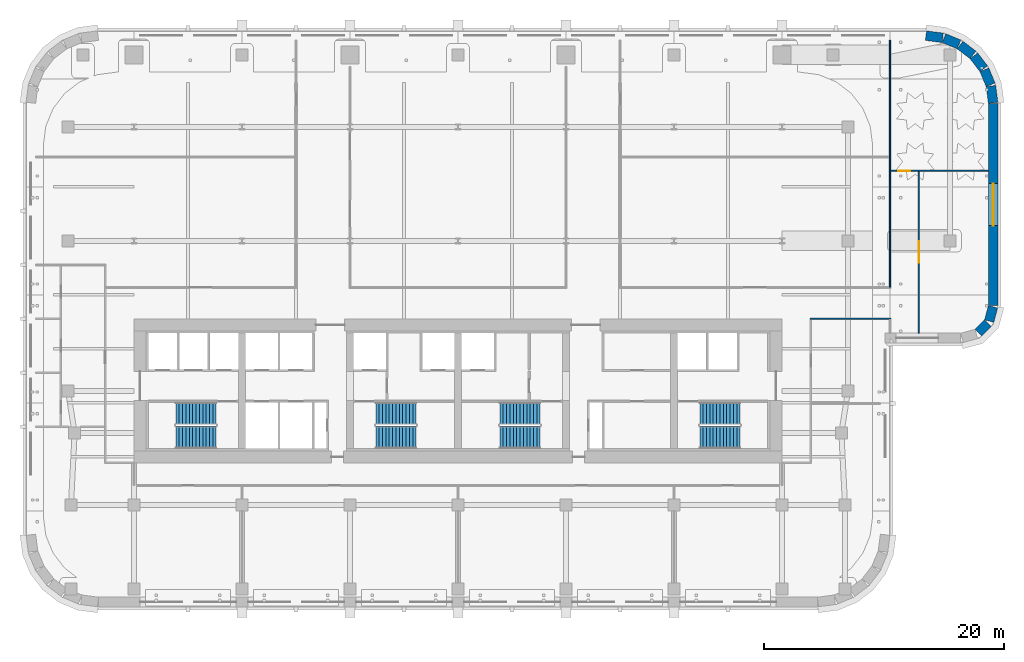
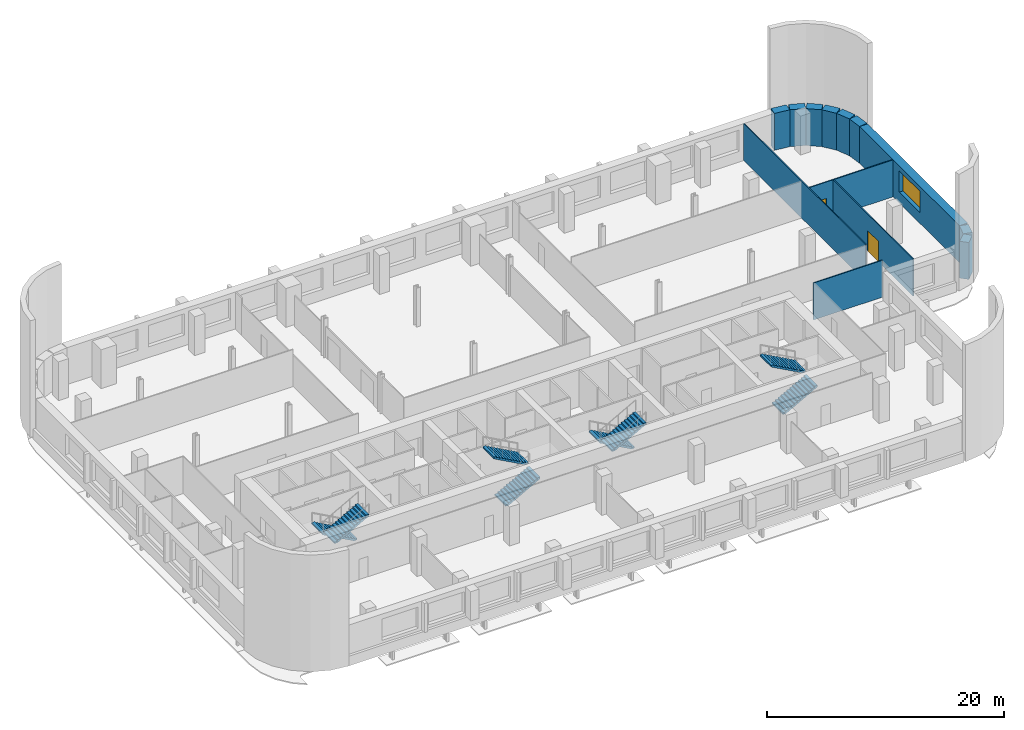
# One storey, part 7 of 13: 13 walls, 8 stair flights, 2 doors, 1 window, 3 openings, 4 elements without a shape of their own.
"""IFC4 building model written with IfcOpenShell, lengths in metres."""

from ifc_helpers import new_model, si_unit, direction, frame, frame_2d, origin, place, context, subcontext, project, spatial, polyline, rectangle, outline, extrude, material, layer, layer_set, type_object, element, fill, aggregate, save


model = new_model("IFC4")

# Units and contexts
model_context = context("Model", 3, precision=1e-05, world=origin(), true_north=direction((0.0, 1.0)))
body_context = subcontext(model_context, "Body", "Model", "MODEL_VIEW")
ifc_project = project(units=[si_unit("LENGTHUNIT", "METRE"), si_unit("AREAUNIT", "SQUARE_METRE"), si_unit("VOLUMEUNIT", "CUBIC_METRE"), si_unit("PLANEANGLEUNIT", "RADIAN"), si_unit("MASSUNIT", "GRAM", prefix="KILO")], contexts=[model_context])

# Site, building, storey
site_placement = place(None, origin())
site = spatial("IfcSite", under=ifc_project, at=site_placement, CompositionType="ELEMENT")
building_placement = place(site_placement, origin())
building = spatial("IfcBuilding", under=site, at=building_placement, Name="Zellij Exchange Tower", CompositionType="ELEMENT")
storey_placement = place(building_placement, frame((0.0, 0.0, 108.5)))
storey = spatial("IfcBuildingStorey", under=building, at=storey_placement, Name="L23", CompositionType="ELEMENT", Elevation=108.5)

# Walls
ifc_material_1 = material(Name="Precast concrete C40/50", Category="concrete")
ifc_layer_1 = layer(ifc_material_1, 0.800048828125)
ifc_layer_set_1 = layer_set([ifc_layer_1], Name="Precast concrete C40/50")
wall_type_1 = type_object("IfcWallType", Name="ENV-EW1 Precast stone-piered wall 800", PredefinedType="SOLIDWALL", material=ifc_layer_set_1)
wall_1_placement = place(storey_placement, frame((43.36865234375, -3.163818359375, 0.0), z_axis=(0.0, 0.0, 1.0), x_axis=(0.707106781187, 0.707106781187, 0.0)))
element("IfcWall", 1, at=wall_1_placement, inside=storey, type_object=wall_type_1, Name="fac.L23.10", PredefinedType="SOLIDWALL", context=body_context, shape_type="SweptSolid", body=[
    extrude(rectangle(XDim=1.12451171875, YDim=0.800048828125, at=frame_2d((0.562255859375, 0.0))), origin(), (0.0, 0.0, 1.0), 3.800048828125),
])
wall_2_placement = place(storey_placement, frame((44.26708984375, -2.189453125, 0.0), z_axis=(0.0, 0.0, 1.0), x_axis=(0.258943885187, 0.965892366842, 0.0)))
element("IfcWall", 2, at=wall_2_placement, inside=storey, type_object=wall_type_1, Name="fac.L23.11", PredefinedType="SOLIDWALL", context=body_context, shape_type="SweptSolid", body=[
    extrude(rectangle(XDim=1.233154296875, YDim=0.800048828125, at=frame_2d((0.61669921875, 0.0))), origin(), (0.0, 0.0, 1.0), 3.800048828125),
])

# Wall, opening, window
wall_3_placement = place(storey_placement, frame((44.60009765625, -0.89453125, 0.0), z_axis=(0.0, 0.0, 1.0), x_axis=(0.0, 1.0, 0.0)))
wall_3 = element("IfcWall", 3, at=wall_3_placement, inside=storey, type_object=wall_type_1, Name="fac.L23.12", PredefinedType="SOLIDWALL", context=body_context, shape_type="SweptSolid", body=[
    extrude(rectangle(XDim=16.842041015625, YDim=0.800048828125, at=frame_2d((8.4208984375, 0.0))), origin(), (0.0, 0.0, 1.0), 3.800048828125),
])
opening_1_placement = place(wall_3_placement, frame((6.657958984375, 0.0, 1.10009765625)))
opening_1 = element("IfcOpeningElement", 4, at=opening_1_placement, cuts=wall_3, Name="Opening FZ2.16", PredefinedType="OPENING", context=body_context, shape_type="SweptSolid", body=[
    extrude(rectangle(XDim=3.5, YDim=2.199951171875, at=frame_2d((1.75, 1.10009765625))), frame((0.0, 0.412109375, 0.0), z_axis=(0.0, -1.0, 0.0), x_axis=(1.0, 0.0, 0.0)), (0.0, 0.0, 1.0), 0.823974609375),
])
ifc_material_2 = material(Name="Aluminium frame with insulating glass", Category="aluminium")
window_type = type_object("IfcWindowType", Name="ENV-W7 Window 3500x2200", PartitioningType="SINGLE_PANEL", PredefinedType="WINDOW", material=ifc_material_2)
window_placement = place(opening_1_placement, origin())
window = element("IfcWindow", 5, at=window_placement, inside=storey, type_object=window_type, Name="Window FZ2.16", OverallHeight=2.199951171875, OverallWidth=3.5, PartitioningType="SINGLE_PANEL", PredefinedType="WINDOW", context=body_context, shape_type="SweptSolid", body=[
    extrude(rectangle(XDim=3.5, YDim=2.199951171875, at=frame_2d((1.75, 1.10009765625))), frame((0.0, 0.030029296875, 0.0), z_axis=(0.0, -1.0, 0.0), x_axis=(1.0, 0.0, 0.0)), (0.0, 0.0, 1.0), 0.06005859375),
])
fill(opening_1, window)

# Walls
wall_4_placement = place(storey_placement, frame((44.5966796875, 15.999755859375, 0.0), z_axis=(0.0, 0.0, 1.0), x_axis=(-0.130517283865, 0.99144603414, 0.0)))
element("IfcWall", 6, at=wall_4_placement, inside=storey, type_object=wall_type_1, Name="fac.L23.13", PredefinedType="SOLIDWALL", context=body_context, shape_type="SweptSolid", body=[
    extrude(rectangle(XDim=1.408447265625, YDim=0.800048828125, at=frame_2d((0.7041015625, 0.0))), origin(), (0.0, 0.0, 1.0), 3.800048828125),
])
wall_5_placement = place(storey_placement, frame((44.3857421875, 17.497314453125, 0.0), z_axis=(0.0, 0.0, 1.0), x_axis=(-0.38276009378, 0.923847774587, 0.0)))
element("IfcWall", 7, at=wall_5_placement, inside=storey, type_object=wall_type_1, Name="fac.L23.14", PredefinedType="SOLIDWALL", context=body_context, shape_type="SweptSolid", body=[
    extrude(rectangle(XDim=1.35546875, YDim=0.800048828125, at=frame_2d((0.677734375, 0.0))), origin(), (0.0, 0.0, 1.0), 3.800048828125),
])
for number, where, z_axis, x_axis, name in (
    (8, (43.814697265625, 18.840087890625, 0.0), (0.0, 0.0, 1.0), (-0.608866226366, 0.793272915452, 0.0), "fac.L23.15"),
    (9, (42.91552734375, 19.9892578125, 0.0), (0.0, 0.0, 1.0), (-0.793272915452, 0.608866226366, 0.0), "fac.L23.16"),
):
    element("IfcWall", number, at=place(storey_placement, frame(where, z_axis=z_axis, x_axis=x_axis)), inside=storey, type_object=wall_type_1, Name=name, PredefinedType="SOLIDWALL", context=body_context, shape_type="SweptSolid", body=[
        extrude(rectangle(XDim=1.355712890625, YDim=0.800048828125, at=frame_2d((0.677734375, 0.0))), origin(), (0.0, 0.0, 1.0), 3.800048828125),
    ])
wall_6_placement = place(storey_placement, frame((41.74951171875, 20.866943359375, 0.0), z_axis=(0.0, 0.0, 1.0), x_axis=(-0.923847774587, 0.38276009378, 0.0)))
element("IfcWall", 10, at=wall_6_placement, inside=storey, type_object=wall_type_1, Name="fac.L23.17", PredefinedType="SOLIDWALL", context=body_context, shape_type="SweptSolid", body=[
    extrude(rectangle(XDim=1.35546875, YDim=0.800048828125, at=frame_2d((0.677734375, 0.0))), origin(), (0.0, 0.0, 1.0), 3.800048828125),
])
wall_7_placement = place(storey_placement, frame((40.396240234375, 21.412841796875, 0.0), z_axis=(0.0, 0.0, 1.0), x_axis=(-0.99144603414, 0.130517283865, 0.0)))
element("IfcWall", 11, at=wall_7_placement, inside=storey, type_object=wall_type_1, Name="fac.L23.18", PredefinedType="SOLIDWALL", context=body_context, shape_type="SweptSolid", body=[
    extrude(rectangle(XDim=1.408447265625, YDim=0.800048828125, at=frame_2d((0.7041015625, 0.0))), origin(), (0.0, 0.0, 1.0), 3.800048828125),
])

# Wall, opening, door
ifc_material_3 = material(Name="Gypsum board partition on steel studs", Category="steel")
ifc_layer_2 = layer(ifc_material_3, 0.10009765625)
ifc_layer_set_2 = layer_set([ifc_layer_2], Name="Gypsum board partition on steel studs")
wall_type_2 = type_object("IfcWallType", Name="FIT-PARTITION-100", PredefinedType="PARTITIONING", material=ifc_layer_set_2)
wall_8_placement = place(storey_placement, frame((38.39990234375, -3.199951171875, 0.0), z_axis=(0.0, 0.0, 1.0), x_axis=(0.0, 1.0, 0.0)))
wall_8 = element("IfcWall", 12, at=wall_8_placement, inside=storey, type_object=wall_type_2, Name="FIT-PARTITION-100 020", PredefinedType="PARTITIONING", context=body_context, shape_type="SweptSolid", body=[
    extrude(rectangle(XDim=13.47998046875, YDim=0.10009765625, at=frame_2d((6.739990234375, 0.0))), origin(), (0.0, 0.0, 1.0), 3.800048828125),
])
opening_2_placement = place(wall_8_placement, frame((5.85009765625, 0.0, 0.0)))
opening_2 = element("IfcOpeningElement", 13, at=opening_2_placement, cuts=wall_8, Name="Opening TE.12", PredefinedType="OPENING", context=body_context, shape_type="SweptSolid", body=[
    extrude(rectangle(XDim=1.800048828125, YDim=2.10009765625, at=frame_2d((0.89990234375, 1.050048828125))), frame((0.0, 0.06201171875, 0.0), z_axis=(0.0, -1.0, 0.0), x_axis=(1.0, 0.0, 0.0)), (0.0, 0.0, 1.0), 0.1240234375),
])
ifc_material_4 = material(Name="Timber door set", Category="wood")
door_type_1 = type_object("IfcDoorType", Name="FIT-D3-DOUBLE-1800X2100", OperationType="DOUBLE_DOOR_SINGLE_SWING", PredefinedType="DOOR", material=ifc_material_4)
door_1_placement = place(opening_2_placement, origin())
door_1 = element("IfcDoor", 14, at=door_1_placement, inside=storey, type_object=door_type_1, Name="Door TE.12", OperationType="DOUBLE_DOOR_SINGLE_SWING", OverallHeight=2.10009765625, OverallWidth=1.800048828125, PredefinedType="DOOR", context=body_context, shape_type="SweptSolid", body=[
    extrude(rectangle(XDim=1.800048828125, YDim=2.10009765625, at=frame_2d((0.89990234375, 1.050048828125))), frame((0.0, 0.02490234375, 0.0), z_axis=(0.0, -1.0, 0.0), x_axis=(1.0, 0.0, 0.0)), (0.0, 0.0, 1.0), 0.050048828125),
])
fill(opening_2, door_1)

# Walls
wall_9_placement = place(storey_placement, frame((29.35009765625, -2.0, 0.0), z_axis=(0.0, 0.0, 1.0), x_axis=(1.0, 0.0, 0.0)))
element("IfcWall", 15, at=wall_9_placement, inside=storey, type_object=wall_type_2, Name="FIT-PARTITION-100 022", PredefinedType="PARTITIONING", context=body_context, shape_type="SweptSolid", body=[
    extrude(rectangle(XDim=6.699951171875, YDim=0.10009765625, at=frame_2d((3.35009765625, 0.0))), origin(), (0.0, 0.0, 1.0), 3.800048828125),
])
wall_10_placement = place(storey_placement, frame((36.0, 0.64990234375, 0.0), z_axis=(0.0, 0.0, 1.0), x_axis=(0.0, 1.0, 0.0)))
element("IfcWall", 16, at=wall_10_placement, inside=storey, type_object=wall_type_2, Name="FIT-PARTITION-100 036", PredefinedType="PARTITIONING", context=body_context, shape_type="SweptSolid", body=[
    extrude(rectangle(XDim=20.550048828125, YDim=0.10009765625, at=frame_2d((10.27490234375, 0.0))), origin(), (0.0, 0.0, 1.0), 3.800048828125),
])

# Wall, opening, door
wall_11_placement = place(storey_placement, frame((36.050048828125, 10.330078125, 0.0), z_axis=(0.0, 0.0, 1.0), x_axis=(1.0, 0.0, 0.0)))
wall_11 = element("IfcWall", 17, at=wall_11_placement, inside=storey, type_object=wall_type_2, Name="FIT-PARTITION-100 038", PredefinedType="PARTITIONING", context=body_context, shape_type="SweptSolid", body=[
    extrude(rectangle(XDim=8.14990234375, YDim=0.10009765625, at=frame_2d((4.074951171875, 0.0))), origin(), (0.0, 0.0, 1.0), 3.800048828125),
])
opening_3_placement = place(wall_11_placement, frame((0.64990234375, 0.0, 0.0)))
opening_3 = element("IfcOpeningElement", 18, at=opening_3_placement, cuts=wall_11, Name="Opening TE.14", PredefinedType="OPENING", context=body_context, shape_type="SweptSolid", body=[
    extrude(rectangle(XDim=1.0, YDim=2.10009765625, at=frame_2d((0.5, 1.050048828125))), frame((0.0, 0.06201171875, 0.0), z_axis=(0.0, -1.0, 0.0), x_axis=(1.0, 0.0, 0.0)), (0.0, 0.0, 1.0), 0.1240234375),
])
door_type_2 = type_object("IfcDoorType", Name="FIT-D2-WIDE-1000X2100", OperationType="SINGLE_SWING_LEFT", PredefinedType="DOOR", material=ifc_material_4)
door_2_placement = place(opening_3_placement, origin())
door_2 = element("IfcDoor", 19, at=door_2_placement, inside=storey, type_object=door_type_2, Name="Door TE.14", OperationType="SINGLE_SWING_LEFT", OverallHeight=2.10009765625, OverallWidth=1.0, PredefinedType="DOOR", context=body_context, shape_type="SweptSolid", body=[
    extrude(rectangle(XDim=1.0, YDim=2.10009765625, at=frame_2d((0.5, 1.050048828125))), frame((0.0, 0.02490234375, 0.0), z_axis=(0.0, -1.0, 0.0), x_axis=(1.0, 0.0, 0.0)), (0.0, 0.0, 1.0), 0.050048828125),
])
fill(opening_3, door_2)

# Stair, stair flights
ifc_material_5 = material(Name="Concrete C40/50", Category="concrete")
stair_type = type_object("IfcStairType", Name="CORE-ST exit stair 1850 wide", PredefinedType="HALF_TURN_STAIR", material=ifc_material_5)
stair_1_placement = place(storey_placement, origin())
stair_1 = element("IfcStair", 20, at=stair_1_placement, inside=storey, type_object=stair_type, Name="L23 exit stair ST1", PredefinedType="HALF_TURN_STAIR")
stair_flight_type = type_object("IfcStairFlightType", Name="CORE-SF flight 1850 riser 153.8 going 280", PredefinedType="STRAIGHT", material=ifc_material_5)
stair_flight_1_placement = place(storey_placement, frame((-20.14990234375, -9.875, 0.0), z_axis=(0.0, 0.0, 1.0), x_axis=(-1.0, 0.0, 0.0)))
stair_flight_1 = element("IfcStairFlight", 21, at=stair_flight_1_placement, type_object=stair_flight_type, Name="ST1 flight 1", NumberOfRisers=13, NumberOfTreads=12, PredefinedType="STRAIGHT", RiserHeight=0.153846154, TreadLength=0.28, context=body_context, shape_type="SweptSolid", body=[
    extrude(outline(polyline([(0.0, 0.0), (0.0, 0.15380859375), (0.280029296875, 0.15380859375), (0.280029296875, 0.3076171875), (0.56005859375, 0.3076171875), (0.56005859375, 0.46142578125), (0.840087890625, 0.46142578125), (0.840087890625, 0.615478515625), (1.1201171875, 0.615478515625), (1.1201171875, 0.769287109375), (1.39990234375, 0.769287109375), (1.39990234375, 0.923095703125), (1.679931640625, 0.923095703125), (1.679931640625, 1.076904296875), (1.9599609375, 1.076904296875), (1.9599609375, 1.230712890625), (2.239990234375, 1.230712890625), (2.239990234375, 1.384521484375), (2.52001953125, 1.384521484375), (2.52001953125, 1.53857421875), (2.800048828125, 1.53857421875), (2.800048828125, 1.6923828125), (3.080078125, 1.6923828125), (3.080078125, 1.84619140625), (3.360107421875, 1.84619140625), (3.360107421875, 2.0), (3.360107421875, 1.675048828125), (0.311279296875, 0.0), (0.0, 0.0)])), frame((0.0, 0.925048828125, 0.0), z_axis=(0.0, -1.0, 0.0), x_axis=(1.0, 0.0, 0.0)), (0.0, 0.0, 1.0), 1.85009765625),
])
stair_flight_2_placement = place(storey_placement, frame((-23.510009765625, -11.875, 2.0), z_axis=(0.0, 0.0, 1.0), x_axis=(1.0, 0.0, 0.0)))
stair_flight_2 = element("IfcStairFlight", 22, at=stair_flight_2_placement, type_object=stair_flight_type, Name="ST1 flight 2", NumberOfRisers=13, NumberOfTreads=12, PredefinedType="STRAIGHT", RiserHeight=0.153846154, TreadLength=0.28, context=body_context, shape_type="SweptSolid", body=[
    extrude(outline(polyline([(0.0, 0.0), (0.0, 0.15380859375), (0.280029296875, 0.15380859375), (0.280029296875, 0.3076171875), (0.56005859375, 0.3076171875), (0.56005859375, 0.46142578125), (0.840087890625, 0.46142578125), (0.840087890625, 0.615478515625), (1.1201171875, 0.615478515625), (1.1201171875, 0.769287109375), (1.39990234375, 0.769287109375), (1.39990234375, 0.923095703125), (1.679931640625, 0.923095703125), (1.679931640625, 1.076904296875), (1.9599609375, 1.076904296875), (1.9599609375, 1.230712890625), (2.239990234375, 1.230712890625), (2.239990234375, 1.384521484375), (2.52001953125, 1.384521484375), (2.52001953125, 1.53857421875), (2.800048828125, 1.53857421875), (2.800048828125, 1.6923828125), (3.080078125, 1.6923828125), (3.080078125, 1.84619140625), (3.360107421875, 1.84619140625), (3.360107421875, 2.0), (3.360107421875, 1.675048828125), (0.311279296875, 0.0), (0.0, 0.0)])), frame((0.0, 0.925048828125, 0.0), z_axis=(0.0, -1.0, 0.0), x_axis=(1.0, 0.0, 0.0)), (0.0, 0.0, 1.0), 1.85009765625),
])
aggregate(stair_1, [stair_flight_1, stair_flight_2])

stair_2_placement = place(storey_placement, origin())
stair_2 = element("IfcStair", 23, at=stair_2_placement, inside=storey, type_object=stair_type, Name="L23 exit stair ST2", PredefinedType="HALF_TURN_STAIR")
stair_flight_3_placement = place(storey_placement, frame((-6.85009765625, -11.875, 0.0), z_axis=(0.0, 0.0, 1.0), x_axis=(1.0, 0.0, 0.0)))
stair_flight_3 = element("IfcStairFlight", 24, at=stair_flight_3_placement, type_object=stair_flight_type, Name="ST2 flight 1", NumberOfRisers=13, NumberOfTreads=12, PredefinedType="STRAIGHT", RiserHeight=0.153846154, TreadLength=0.28, context=body_context, shape_type="SweptSolid", body=[
    extrude(outline(polyline([(0.0, 0.0), (0.0, 0.15380859375), (0.280029296875, 0.15380859375), (0.280029296875, 0.3076171875), (0.56005859375, 0.3076171875), (0.56005859375, 0.46142578125), (0.840087890625, 0.46142578125), (0.840087890625, 0.615478515625), (1.1201171875, 0.615478515625), (1.1201171875, 0.769287109375), (1.39990234375, 0.769287109375), (1.39990234375, 0.923095703125), (1.679931640625, 0.923095703125), (1.679931640625, 1.076904296875), (1.9599609375, 1.076904296875), (1.9599609375, 1.230712890625), (2.239990234375, 1.230712890625), (2.239990234375, 1.384521484375), (2.52001953125, 1.384521484375), (2.52001953125, 1.53857421875), (2.800048828125, 1.53857421875), (2.800048828125, 1.6923828125), (3.080078125, 1.6923828125), (3.080078125, 1.84619140625), (3.360107421875, 1.84619140625), (3.360107421875, 2.0), (3.360107421875, 1.675048828125), (0.311279296875, 0.0), (0.0, 0.0)])), frame((0.0, 0.925048828125, 0.0), z_axis=(0.0, -1.0, 0.0), x_axis=(1.0, 0.0, 0.0)), (0.0, 0.0, 1.0), 1.85009765625),
])
stair_flight_4_placement = place(storey_placement, frame((-3.489990234375, -9.875, 2.0), z_axis=(0.0, 0.0, 1.0), x_axis=(-1.0, 0.0, 0.0)))
stair_flight_4 = element("IfcStairFlight", 25, at=stair_flight_4_placement, type_object=stair_flight_type, Name="ST2 flight 2", NumberOfRisers=13, NumberOfTreads=12, PredefinedType="STRAIGHT", RiserHeight=0.153846154, TreadLength=0.28, context=body_context, shape_type="SweptSolid", body=[
    extrude(outline(polyline([(0.0, 0.0), (0.0, 0.15380859375), (0.280029296875, 0.15380859375), (0.280029296875, 0.3076171875), (0.56005859375, 0.3076171875), (0.56005859375, 0.46142578125), (0.840087890625, 0.46142578125), (0.840087890625, 0.615478515625), (1.1201171875, 0.615478515625), (1.1201171875, 0.769287109375), (1.39990234375, 0.769287109375), (1.39990234375, 0.923095703125), (1.679931640625, 0.923095703125), (1.679931640625, 1.076904296875), (1.9599609375, 1.076904296875), (1.9599609375, 1.230712890625), (2.239990234375, 1.230712890625), (2.239990234375, 1.384521484375), (2.52001953125, 1.384521484375), (2.52001953125, 1.53857421875), (2.800048828125, 1.53857421875), (2.800048828125, 1.6923828125), (3.080078125, 1.6923828125), (3.080078125, 1.84619140625), (3.360107421875, 1.84619140625), (3.360107421875, 2.0), (3.360107421875, 1.675048828125), (0.311279296875, 0.0), (0.0, 0.0)])), frame((0.0, 0.925048828125, 0.0), z_axis=(0.0, -1.0, 0.0), x_axis=(1.0, 0.0, 0.0)), (0.0, 0.0, 1.0), 1.85009765625),
])
aggregate(stair_2, [stair_flight_3, stair_flight_4])

stair_3_placement = place(storey_placement, origin())
stair_3 = element("IfcStair", 26, at=stair_3_placement, inside=storey, type_object=stair_type, Name="L23 exit stair ST3", PredefinedType="HALF_TURN_STAIR")
stair_flight_5_placement = place(storey_placement, frame((6.85009765625, -9.875, 0.0), z_axis=(0.0, 0.0, 1.0), x_axis=(-1.0, 0.0, 0.0)))
stair_flight_5 = element("IfcStairFlight", 27, at=stair_flight_5_placement, type_object=stair_flight_type, Name="ST3 flight 1", NumberOfRisers=13, NumberOfTreads=12, PredefinedType="STRAIGHT", RiserHeight=0.153846154, TreadLength=0.28, context=body_context, shape_type="SweptSolid", body=[
    extrude(outline(polyline([(0.0, 0.0), (0.0, 0.15380859375), (0.280029296875, 0.15380859375), (0.280029296875, 0.3076171875), (0.56005859375, 0.3076171875), (0.56005859375, 0.46142578125), (0.840087890625, 0.46142578125), (0.840087890625, 0.615478515625), (1.1201171875, 0.615478515625), (1.1201171875, 0.769287109375), (1.39990234375, 0.769287109375), (1.39990234375, 0.923095703125), (1.679931640625, 0.923095703125), (1.679931640625, 1.076904296875), (1.9599609375, 1.076904296875), (1.9599609375, 1.230712890625), (2.239990234375, 1.230712890625), (2.239990234375, 1.384521484375), (2.52001953125, 1.384521484375), (2.52001953125, 1.53857421875), (2.800048828125, 1.53857421875), (2.800048828125, 1.6923828125), (3.080078125, 1.6923828125), (3.080078125, 1.84619140625), (3.360107421875, 1.84619140625), (3.360107421875, 2.0), (3.360107421875, 1.675048828125), (0.311279296875, 0.0), (0.0, 0.0)])), frame((0.0, 0.925048828125, 0.0), z_axis=(0.0, -1.0, 0.0), x_axis=(1.0, 0.0, 0.0)), (0.0, 0.0, 1.0), 1.85009765625),
])
stair_flight_6_placement = place(storey_placement, frame((3.489990234375, -11.875, 2.0), z_axis=(0.0, 0.0, 1.0), x_axis=(1.0, 0.0, 0.0)))
stair_flight_6 = element("IfcStairFlight", 28, at=stair_flight_6_placement, type_object=stair_flight_type, Name="ST3 flight 2", NumberOfRisers=13, NumberOfTreads=12, PredefinedType="STRAIGHT", RiserHeight=0.153846154, TreadLength=0.28, context=body_context, shape_type="SweptSolid", body=[
    extrude(outline(polyline([(0.0, 0.0), (0.0, 0.15380859375), (0.280029296875, 0.15380859375), (0.280029296875, 0.3076171875), (0.56005859375, 0.3076171875), (0.56005859375, 0.46142578125), (0.840087890625, 0.46142578125), (0.840087890625, 0.615478515625), (1.1201171875, 0.615478515625), (1.1201171875, 0.769287109375), (1.39990234375, 0.769287109375), (1.39990234375, 0.923095703125), (1.679931640625, 0.923095703125), (1.679931640625, 1.076904296875), (1.9599609375, 1.076904296875), (1.9599609375, 1.230712890625), (2.239990234375, 1.230712890625), (2.239990234375, 1.384521484375), (2.52001953125, 1.384521484375), (2.52001953125, 1.53857421875), (2.800048828125, 1.53857421875), (2.800048828125, 1.6923828125), (3.080078125, 1.6923828125), (3.080078125, 1.84619140625), (3.360107421875, 1.84619140625), (3.360107421875, 2.0), (3.360107421875, 1.675048828125), (0.311279296875, 0.0), (0.0, 0.0)])), frame((0.0, 0.925048828125, 0.0), z_axis=(0.0, -1.0, 0.0), x_axis=(1.0, 0.0, 0.0)), (0.0, 0.0, 1.0), 1.85009765625),
])
aggregate(stair_3, [stair_flight_5, stair_flight_6])

stair_4_placement = place(storey_placement, origin())
stair_4 = element("IfcStair", 29, at=stair_4_placement, inside=storey, type_object=stair_type, Name="L23 exit stair ST4", PredefinedType="HALF_TURN_STAIR")
stair_flight_7_placement = place(storey_placement, frame((20.14990234375, -11.875, 0.0), z_axis=(0.0, 0.0, 1.0), x_axis=(1.0, 0.0, 0.0)))
stair_flight_7 = element("IfcStairFlight", 30, at=stair_flight_7_placement, type_object=stair_flight_type, Name="ST4 flight 1", NumberOfRisers=13, NumberOfTreads=12, PredefinedType="STRAIGHT", RiserHeight=0.153846154, TreadLength=0.28, context=body_context, shape_type="SweptSolid", body=[
    extrude(outline(polyline([(0.0, 0.0), (0.0, 0.15380859375), (0.280029296875, 0.15380859375), (0.280029296875, 0.3076171875), (0.56005859375, 0.3076171875), (0.56005859375, 0.46142578125), (0.840087890625, 0.46142578125), (0.840087890625, 0.615478515625), (1.1201171875, 0.615478515625), (1.1201171875, 0.769287109375), (1.39990234375, 0.769287109375), (1.39990234375, 0.923095703125), (1.679931640625, 0.923095703125), (1.679931640625, 1.076904296875), (1.9599609375, 1.076904296875), (1.9599609375, 1.230712890625), (2.239990234375, 1.230712890625), (2.239990234375, 1.384521484375), (2.52001953125, 1.384521484375), (2.52001953125, 1.53857421875), (2.800048828125, 1.53857421875), (2.800048828125, 1.6923828125), (3.080078125, 1.6923828125), (3.080078125, 1.84619140625), (3.360107421875, 1.84619140625), (3.360107421875, 2.0), (3.360107421875, 1.675048828125), (0.311279296875, 0.0), (0.0, 0.0)])), frame((0.0, 0.925048828125, 0.0), z_axis=(0.0, -1.0, 0.0), x_axis=(1.0, 0.0, 0.0)), (0.0, 0.0, 1.0), 1.85009765625),
])
stair_flight_8_placement = place(storey_placement, frame((23.510009765625, -9.875, 2.0), z_axis=(0.0, 0.0, 1.0), x_axis=(-1.0, 0.0, 0.0)))
stair_flight_8 = element("IfcStairFlight", 31, at=stair_flight_8_placement, type_object=stair_flight_type, Name="ST4 flight 2", NumberOfRisers=13, NumberOfTreads=12, PredefinedType="STRAIGHT", RiserHeight=0.153846154, TreadLength=0.28, context=body_context, shape_type="SweptSolid", body=[
    extrude(outline(polyline([(0.0, 0.0), (0.0, 0.15380859375), (0.280029296875, 0.15380859375), (0.280029296875, 0.3076171875), (0.56005859375, 0.3076171875), (0.56005859375, 0.46142578125), (0.840087890625, 0.46142578125), (0.840087890625, 0.615478515625), (1.1201171875, 0.615478515625), (1.1201171875, 0.769287109375), (1.39990234375, 0.769287109375), (1.39990234375, 0.923095703125), (1.679931640625, 0.923095703125), (1.679931640625, 1.076904296875), (1.9599609375, 1.076904296875), (1.9599609375, 1.230712890625), (2.239990234375, 1.230712890625), (2.239990234375, 1.384521484375), (2.52001953125, 1.384521484375), (2.52001953125, 1.53857421875), (2.800048828125, 1.53857421875), (2.800048828125, 1.6923828125), (3.080078125, 1.6923828125), (3.080078125, 1.84619140625), (3.360107421875, 1.84619140625), (3.360107421875, 2.0), (3.360107421875, 1.675048828125), (0.311279296875, 0.0), (0.0, 0.0)])), frame((0.0, 0.925048828125, 0.0), z_axis=(0.0, -1.0, 0.0), x_axis=(1.0, 0.0, 0.0)), (0.0, 0.0, 1.0), 1.85009765625),
])
aggregate(stair_4, [stair_flight_7, stair_flight_8])

save(model, "model.ifc")
